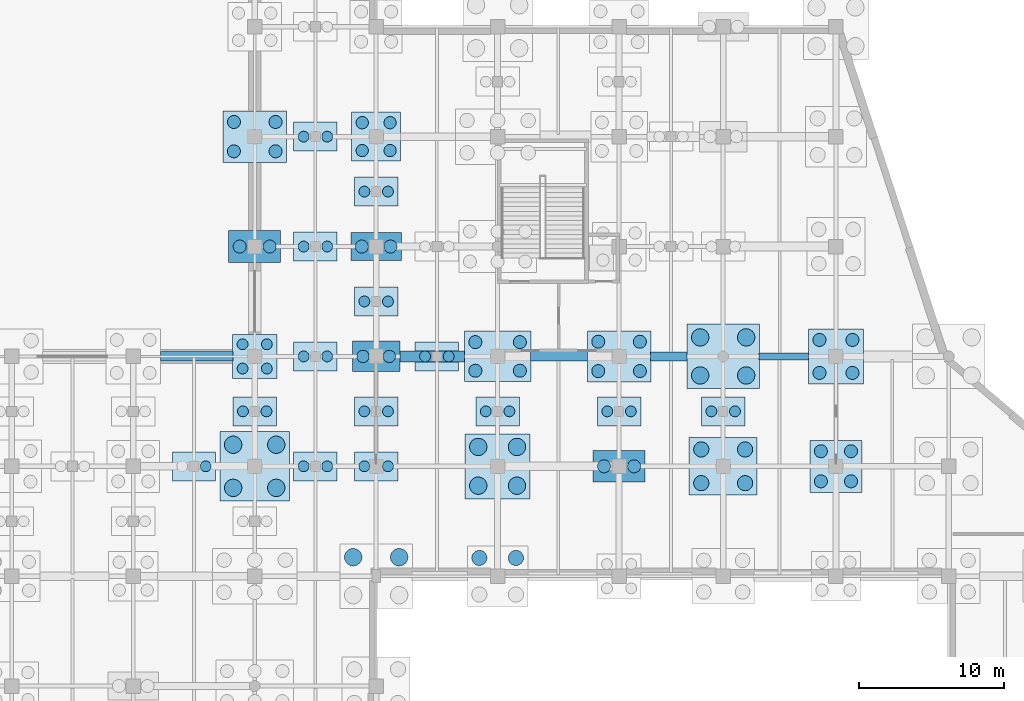
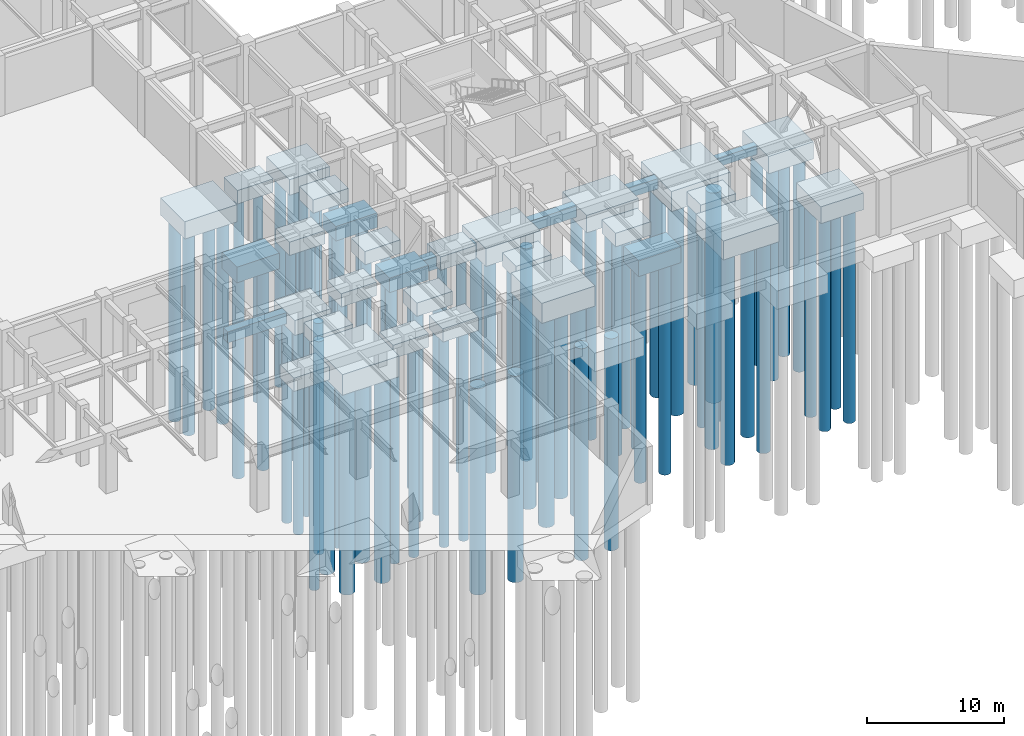
# One storey, part 6 of 52: 83 piles, 34 footings.
"""IFC4 building model written with IfcOpenShell, lengths in metres."""

from ifc_helpers import new_model, si_unit, direction, frame, origin, origin_2d, place, context, subcontext, project, spatial, rectangle, circle, extrude, material, material_profile, profile_set, type_object, element, save


model = new_model("IFC4")

# Units and contexts
model_context = context("Model", 3, precision=1e-05, world=origin(), true_north=direction((0.0, 1.0)))
body_context = subcontext(model_context, "Body", "Model", "MODEL_VIEW")
ifc_project = project(units=[si_unit("LENGTHUNIT", "METRE"), si_unit("AREAUNIT", "SQUARE_METRE"), si_unit("VOLUMEUNIT", "CUBIC_METRE"), si_unit("PLANEANGLEUNIT", "RADIAN"), si_unit("MASSUNIT", "GRAM", prefix="KILO")], contexts=[model_context])

# Site, building, storey
site_placement = place(None, origin())
site = spatial("IfcSite", under=ifc_project, at=site_placement, CompositionType="ELEMENT")
building_placement = place(site_placement, origin())
building = spatial("IfcBuilding", under=site, at=building_placement, Name="Xicomal Pleat Aquarium", CompositionType="ELEMENT")
storey_placement = place(building_placement, frame((0.0, 0.0, -5.39990234375)))
storey = spatial("IfcBuildingStorey", under=building, at=storey_placement, Name="B1", CompositionType="ELEMENT", Elevation=-5.39990234375)

# Footings
ifc_material_1 = material(Name="Concrete C40/50", Category="concrete")
ifc_material_profile_1 = material_profile(ifc_material_1, rectangle(XDim=0.5, YDim=0.800048828125, at=origin_2d()), Name="FB-01 500x800")
ifc_profile_set_1 = profile_set([ifc_material_profile_1], Name="Concrete C40/50")
footing_type_1 = type_object("IfcFootingType", Name="FTG-FB-500x800", PredefinedType="FOOTING_BEAM", material=ifc_profile_set_1)
footing_1_placement = place(storey_placement, frame((120.68994140625, 45.60009765625, -1.0), z_axis=(1.0, 0.0, 0.0), x_axis=(0.0, 1.0, 0.0)))
element("IfcFooting", 1, at=footing_1_placement, inside=storey, type_object=footing_type_1, Name="Foundation tie beam 15-16/G", PredefinedType="FOOTING_BEAM", context=body_context, shape_type="SweptSolid", body=[
    extrude(rectangle(XDim=0.5, YDim=0.800048828125, at=origin_2d()), origin(), (0.0, 0.0, 1.0), 3.420166015625),
])
ifc_material_2 = material(Name="Concrete C40/50", Category="concrete")
ifc_material_profile_2 = material_profile(ifc_material_2, rectangle(XDim=0.60009765625, YDim=0.89990234375, at=origin_2d()), Name="FB-02 600x900")
ifc_profile_set_2 = profile_set([ifc_material_profile_2], Name="Concrete C40/50")
footing_type_2 = type_object("IfcFootingType", Name="FTG-FB-600x900", PredefinedType="FOOTING_BEAM", material=ifc_profile_set_2)
footing_2_placement = place(storey_placement, frame((113.18994140625, 45.60009765625, -1.050048828125), z_axis=(1.0, 0.0, 0.0), x_axis=(0.0, 1.0, 0.0)))
element("IfcFooting", 2, at=footing_2_placement, inside=storey, type_object=footing_type_2, Name="Foundation tie beam 14-15/G", PredefinedType="FOOTING_BEAM", context=body_context, shape_type="SweptSolid", body=[
    extrude(rectangle(XDim=0.60009765625, YDim=0.89990234375, at=origin_2d()), origin(), (0.0, 0.0, 1.0), 2.52001953125),
])
ifc_material_3 = material(Name="Concrete C40/50", Category="concrete")
ifc_material_profile_3 = material_profile(ifc_material_3, rectangle(XDim=0.64990234375, YDim=1.0, at=origin_2d()), Name="FB-03 650x1000")
ifc_profile_set_3 = profile_set([ifc_material_profile_3], Name="Concrete C40/50")
footing_type_3 = type_object("IfcFootingType", Name="FTG-FB-650x1000", PredefinedType="FOOTING_BEAM", material=ifc_profile_set_3)
footing_3_placement = place(storey_placement, frame((79.2900390625, 45.60009765625, -2.050048828125), z_axis=(1.0, 0.0, 0.0), x_axis=(0.0, 1.0, 0.0)))
element("IfcFooting", 3, at=footing_3_placement, inside=storey, type_object=footing_type_3, Name="Foundation tie beam 10-11/G", PredefinedType="FOOTING_BEAM", context=body_context, shape_type="SweptSolid", body=[
    extrude(rectangle(XDim=0.64990234375, YDim=1.0, at=origin_2d()), origin(), (0.0, 0.0, 1.0), 4.994873046875),
])
footing_4_placement = place(storey_placement, frame((104.889892578125, 45.60009765625, -1.10009765625), z_axis=(1.0, 0.0, 0.0), x_axis=(0.0, 1.0, 0.0)))
element("IfcFooting", 4, at=footing_4_placement, inside=storey, type_object=footing_type_3, Name="Foundation tie beam 13-14/G", PredefinedType="FOOTING_BEAM", context=body_context, shape_type="SweptSolid", body=[
    extrude(rectangle(XDim=0.64990234375, YDim=1.0, at=origin_2d()), origin(), (0.0, 0.0, 1.0), 3.920166015625),
])
ifc_material_4 = material(Name="Concrete C40/50", Category="concrete")
ifc_material_profile_4 = material_profile(ifc_material_4, rectangle(XDim=0.75, YDim=1.10009765625, at=origin_2d()), Name="FB-04 750x1100")
ifc_profile_set_4 = profile_set([ifc_material_profile_4], Name="Concrete C40/50")
footing_type_4 = type_object("IfcFootingType", Name="FTG-FB-750x1100", PredefinedType="FOOTING_BEAM", material=ifc_profile_set_4)
footing_5_placement = place(storey_placement, frame((95.840087890625, 45.60009765625, -1.5), z_axis=(1.0, 0.0, 0.0), x_axis=(0.0, 1.0, 0.0)))
element("IfcFooting", 5, at=footing_5_placement, inside=storey, type_object=footing_type_4, Name="Foundation tie beam 12-13/G", PredefinedType="FOOTING_BEAM", context=body_context, shape_type="SweptSolid", body=[
    extrude(rectangle(XDim=0.75, YDim=1.10009765625, at=origin_2d()), origin(), (0.0, 0.0, 1.0), 4.469970703125),
])
ifc_material_5 = material(Name="Concrete C40/50", Category="concrete")
footing_type_5 = type_object("IfcFootingType", Name="FTG-PC-3000x2000x1200", PredefinedType="PILE_CAP", material=ifc_material_5)
for number, where, z_axis, x_axis, name in (
    (6, (94.199951171875, 38.0, -2.14990234375), (0.0, 0.0, 1.0), (1.0, 0.0, 0.0), "Pile cap 12-F"),
    (7, (81.60009765625, 38.0, -2.14990234375), (0.0, 0.0, 1.0), (1.0, 0.0, 0.0), "Pile cap SUB-13"),
    (8, (90.0, 38.0, -2.14990234375), (0.0, 0.0, 1.0), (1.0, 0.0, 0.0), "Pile cap SUB-14"),
    (9, (90.0, 45.60009765625, -2.14990234375), (0.0, 0.0, 1.0), (1.0, 0.0, 0.0), "Pile cap SUB-15"),
    (10, (90.0, 53.199951171875, -2.14990234375), (0.0, 0.0, 1.0), (1.0, 0.0, 0.0), "Pile cap SUB-16"),
    (11, (90.0, 60.800048828125, -2.14990234375), (0.0, 0.0, 1.0), (1.0, 0.0, 0.0), "Pile cap SUB-17"),
    (12, (98.39990234375, 45.60009765625, -1.80029296875), (0.0, 0.0, 1.0), (1.0, 0.0, 0.0), "Pile cap SUB-20"),
    (13, (85.800048828125, 41.800048828125, -2.14990234375), (0.0, 0.0, 1.0), (1.0, 0.0, 0.0), "Pile cap SUB-51"),
    (14, (94.199951171875, 41.800048828125, -2.14990234375), (0.0, 0.0, 1.0), (1.0, 0.0, 0.0), "Pile cap SUB-53"),
    (15, (94.199951171875, 49.39990234375, -2.14990234375), (0.0, 0.0, 1.0), (1.0, 0.0, 0.0), "Pile cap SUB-54"),
    (16, (94.199951171875, 57.0, -2.14990234375), (0.0, 0.0, 1.0), (1.0, 0.0, 0.0), "Pile cap SUB-55"),
    (17, (102.60009765625, 41.800048828125, -1.80029296875), (0.0, 0.0, 1.0), (1.0, 0.0, 0.0), "Pile cap SUB-56"),
    (18, (111.0, 41.800048828125, -1.80029296875), (0.0, 0.0, 1.0), (1.0, 0.0, 0.0), "Pile cap SUB-58"),
    (19, (118.199951171875, 41.800048828125, -1.80029296875), (0.0, 0.0, 1.0), (1.0, 0.0, 0.0), "Pile cap SUB-60"),
):
    element("IfcFooting", number, at=place(storey_placement, frame(where, z_axis=z_axis, x_axis=x_axis)), inside=storey, type_object=footing_type_5, Name=name, PredefinedType="PILE_CAP", context=body_context, shape_type="SweptSolid", body=[
        extrude(rectangle(XDim=3.0, YDim=2.0, at=origin_2d()), origin(), (0.0, 0.0, 1.0), 1.199951171875),
    ])
ifc_material_6 = material(Name="Concrete C40/50", Category="concrete")
footing_type_6 = type_object("IfcFootingType", Name="FTG-PC-3050x3050x1350", PredefinedType="PILE_CAP", material=ifc_material_6)
footing_6_placement = place(storey_placement, frame((85.800048828125, 45.60009765625, -2.900146484375), z_axis=(0.0, 0.0, 1.0), x_axis=(1.0, 0.0, 0.0)))
element("IfcFooting", 20, at=footing_6_placement, inside=storey, type_object=footing_type_6, Name="Pile cap 11-G", PredefinedType="PILE_CAP", context=body_context, shape_type="SweptSolid", body=[
    extrude(rectangle(XDim=3.050048828125, YDim=3.050048828125, at=origin_2d()), origin(), (0.0, 0.0, 1.0), 1.35009765625),
])
ifc_material_7 = material(Name="Concrete C40/50", Category="concrete")
footing_type_7 = type_object("IfcFootingType", Name="FTG-PC-3300x2100x1300", PredefinedType="PILE_CAP", material=ifc_material_7)
footing_7_placement = place(storey_placement, frame((94.199951171875, 45.60009765625, -2.25), z_axis=(0.0, 0.0, 1.0), x_axis=(1.0, 0.0, 0.0)))
element("IfcFooting", 21, at=footing_7_placement, inside=storey, type_object=footing_type_7, Name="Pile cap 12-G", PredefinedType="PILE_CAP", context=body_context, shape_type="SweptSolid", body=[
    extrude(rectangle(XDim=3.300048828125, YDim=2.10009765625, at=origin_2d()), origin(), (0.0, 0.0, 1.0), 1.300048828125),
])
ifc_material_8 = material(Name="Concrete C40/50", Category="concrete")
footing_type_8 = type_object("IfcFootingType", Name="FTG-PC-3400x3400x1400", PredefinedType="PILE_CAP", material=ifc_material_8)
footing_8_placement = place(storey_placement, frame((94.199951171875, 60.800048828125, -2.35009765625), z_axis=(0.0, 0.0, 1.0), x_axis=(1.0, 0.0, 0.0)))
element("IfcFooting", 22, at=footing_8_placement, inside=storey, type_object=footing_type_8, Name="Pile cap 12-J", PredefinedType="PILE_CAP", context=body_context, shape_type="SweptSolid", body=[
    extrude(rectangle(XDim=3.39990234375, YDim=3.39990234375, at=origin_2d()), origin(), (0.0, 0.0, 1.0), 1.39990234375),
])
ifc_material_9 = material(Name="Concrete C40/50", Category="concrete")
footing_type_9 = type_object("IfcFootingType", Name="FTG-PC-3500x1950x1300", PredefinedType="PILE_CAP", material=ifc_material_9)
footing_9_placement = place(storey_placement, frame((94.199951171875, 53.199951171875, -2.25), z_axis=(0.0, 0.0, 1.0), x_axis=(1.0, 0.0, 0.0)))
element("IfcFooting", 23, at=footing_9_placement, inside=storey, type_object=footing_type_9, Name="Pile cap 12-H", PredefinedType="PILE_CAP", context=body_context, shape_type="SweptSolid", body=[
    extrude(rectangle(XDim=3.5, YDim=1.949951171875, at=origin_2d()), origin(), (0.0, 0.0, 1.0), 1.300048828125),
])
ifc_material_10 = material(Name="Concrete C40/50", Category="concrete")
footing_type_10 = type_object("IfcFootingType", Name="FTG-PC-3600x2200x1400", PredefinedType="PILE_CAP", material=ifc_material_10)
for number, where, z_axis, x_axis, name in (
    (24, (85.800048828125, 53.199951171875, -2.949951171875), (0.0, 0.0, 1.0), (1.0, 0.0, 0.0), "Pile cap 11-H"),
    (25, (111.0, 38.0, -2.0), (0.0, 0.0, 1.0), (1.0, 0.0, 0.0), "Pile cap 14-F"),
):
    element("IfcFooting", number, at=place(storey_placement, frame(where, z_axis=z_axis, x_axis=x_axis)), inside=storey, type_object=footing_type_10, Name=name, PredefinedType="PILE_CAP", context=body_context, shape_type="SweptSolid", body=[
        extrude(rectangle(XDim=3.60009765625, YDim=2.199951171875, at=origin_2d()), origin(), (0.0, 0.0, 1.0), 1.39990234375),
    ])
ifc_material_11 = material(Name="Concrete C40/50", Category="concrete")
footing_type_11 = type_object("IfcFootingType", Name="FTG-PC-3600x3600x1500", PredefinedType="PILE_CAP", material=ifc_material_11)
footing_10_placement = place(storey_placement, frame((126.0, 38.0, -2.10009765625), z_axis=(0.0, 0.0, 1.0), x_axis=(1.0, 0.0, 0.0)))
element("IfcFooting", 26, at=footing_10_placement, inside=storey, type_object=footing_type_11, Name="Pile cap 16-F", PredefinedType="PILE_CAP", context=body_context, shape_type="SweptSolid", body=[
    extrude(rectangle(XDim=3.60009765625, YDim=3.60009765625, at=origin_2d()), origin(), (0.0, 0.0, 1.0), 1.5),
])
ifc_material_12 = material(Name="Concrete C40/50", Category="concrete")
footing_type_12 = type_object("IfcFootingType", Name="FTG-PC-3800x3800x1550", PredefinedType="PILE_CAP", material=ifc_material_12)
footing_11_placement = place(storey_placement, frame((126.0, 45.60009765625, -2.14990234375), z_axis=(0.0, 0.0, 1.0), x_axis=(1.0, 0.0, 0.0)))
element("IfcFooting", 27, at=footing_11_placement, inside=storey, type_object=footing_type_12, Name="Pile cap 16-G", PredefinedType="PILE_CAP", context=body_context, shape_type="SweptSolid", body=[
    extrude(rectangle(XDim=3.800048828125, YDim=3.800048828125, at=origin_2d()), origin(), (0.0, 0.0, 1.0), 1.550048828125),
])
ifc_material_13 = material(Name="Concrete C40/50", Category="concrete")
footing_type_13 = type_object("IfcFootingType", Name="FTG-PC-4400x3550x1550", PredefinedType="PILE_CAP", material=ifc_material_13)
for number, where, z_axis, x_axis, name in (
    (28, (85.800048828125, 60.800048828125, -3.10009765625), (0.0, 0.0, 1.0), (1.0, 0.0, 0.0), "Pile cap 11-J"),
    (29, (111.0, 45.60009765625, -2.14990234375), (0.0, 0.0, 1.0), (1.0, 0.0, 0.0), "Pile cap 14-G"),
):
    element("IfcFooting", number, at=place(storey_placement, frame(where, z_axis=z_axis, x_axis=x_axis)), inside=storey, type_object=footing_type_13, Name=name, PredefinedType="PILE_CAP", context=body_context, shape_type="SweptSolid", body=[
        extrude(rectangle(XDim=4.39990234375, YDim=3.550048828125, at=origin_2d()), origin(), (0.0, 0.0, 1.0), 1.550048828125),
    ])
ifc_material_14 = material(Name="Concrete C40/50", Category="concrete")
footing_type_14 = type_object("IfcFootingType", Name="FTG-PC-4500x4500x1800", PredefinedType="PILE_CAP", material=ifc_material_14)
footing_12_placement = place(storey_placement, frame((102.60009765625, 38.0, -2.39990234375), z_axis=(0.0, 0.0, 1.0), x_axis=(1.0, 0.0, 0.0)))
element("IfcFooting", 30, at=footing_12_placement, inside=storey, type_object=footing_type_14, Name="Pile cap 13-F", PredefinedType="PILE_CAP", context=body_context, shape_type="SweptSolid", body=[
    extrude(rectangle(XDim=4.5, YDim=4.5, at=origin_2d()), origin(), (0.0, 0.0, 1.0), 1.800048828125),
])
ifc_material_15 = material(Name="Concrete C40/50", Category="concrete")
footing_type_15 = type_object("IfcFootingType", Name="FTG-PC-4600x3500x1600", PredefinedType="PILE_CAP", material=ifc_material_15)
footing_13_placement = place(storey_placement, frame((102.60009765625, 45.60009765625, -2.2001953125), z_axis=(0.0, 0.0, 1.0), x_axis=(1.0, 0.0, 0.0)))
element("IfcFooting", 31, at=footing_13_placement, inside=storey, type_object=footing_type_15, Name="Pile cap 13-G", PredefinedType="PILE_CAP", context=body_context, shape_type="SweptSolid", body=[
    extrude(rectangle(XDim=4.60009765625, YDim=3.5, at=origin_2d()), origin(), (0.0, 0.0, 1.0), 1.60009765625),
])
ifc_material_16 = material(Name="Concrete C40/50", Category="concrete")
footing_type_16 = type_object("IfcFootingType", Name="FTG-PC-4700x4000x1700", PredefinedType="PILE_CAP", material=ifc_material_16)
footing_14_placement = place(storey_placement, frame((118.199951171875, 38.0, -2.30029296875), z_axis=(0.0, 0.0, 1.0), x_axis=(1.0, 0.0, 0.0)))
element("IfcFooting", 32, at=footing_14_placement, inside=storey, type_object=footing_type_16, Name="Pile cap 15-F", PredefinedType="PILE_CAP", context=body_context, shape_type="SweptSolid", body=[
    extrude(rectangle(XDim=4.699951171875, YDim=4.0, at=origin_2d()), origin(), (0.0, 0.0, 1.0), 1.699951171875),
])
ifc_material_17 = material(Name="Concrete C40/50", Category="concrete")
footing_type_17 = type_object("IfcFootingType", Name="FTG-PC-4800x4800x1850", PredefinedType="PILE_CAP", material=ifc_material_17)
footing_15_placement = place(storey_placement, frame((85.800048828125, 38.0, -2.800048828125), z_axis=(0.0, 0.0, 1.0), x_axis=(1.0, 0.0, 0.0)))
element("IfcFooting", 33, at=footing_15_placement, inside=storey, type_object=footing_type_17, Name="Pile cap 11-F", PredefinedType="PILE_CAP", context=body_context, shape_type="SweptSolid", body=[
    extrude(rectangle(XDim=4.800048828125, YDim=4.800048828125, at=origin_2d()), origin(), (0.0, 0.0, 1.0), 1.85009765625),
])
ifc_material_18 = material(Name="Concrete C40/50", Category="concrete")
footing_type_18 = type_object("IfcFootingType", Name="FTG-PC-5000x4450x1800", PredefinedType="PILE_CAP", material=ifc_material_18)
footing_16_placement = place(storey_placement, frame((118.199951171875, 45.60009765625, -2.39990234375), z_axis=(0.0, 0.0, 1.0), x_axis=(1.0, 0.0, 0.0)))
element("IfcFooting", 34, at=footing_16_placement, inside=storey, type_object=footing_type_18, Name="Pile cap 15-G", PredefinedType="PILE_CAP", context=body_context, shape_type="SweptSolid", body=[
    extrude(rectangle(XDim=5.0, YDim=4.449951171875, at=origin_2d()), origin(), (0.0, 0.0, 1.0), 1.800048828125),
])

# Piles
ifc_material_19 = material(Name="Concrete C40/50", Category="concrete")
ifc_material_profile_5 = material_profile(ifc_material_19, circle(Radius=0.52490234375, at=origin_2d()), Name="BORED PILE D1050")
ifc_profile_set_5 = profile_set([ifc_material_profile_5], Name="Concrete C40/50")
pile_type_1 = type_object("IfcPileType", Name="PIL-B-1050", PredefinedType="BORED", material=ifc_profile_set_5)
for number, where, z_axis, x_axis, name in (
    (35, (101.3349609375, 31.6650390625, -2.150146484375), (0.0, 0.0, -1.0), (1.0, 0.0, 0.0), "Bored pile 13-E-3"),
    (36, (103.864990234375, 31.6650390625, -2.150146484375), (0.0, 0.0, -1.0), (1.0, 0.0, 0.0), "Bored pile 13-E-4"),
):
    element("IfcPile", number, at=place(storey_placement, frame(where, z_axis=z_axis, x_axis=x_axis)), inside=storey, type_object=pile_type_1, Name=name, PredefinedType="BORED", context=body_context, shape_type="SweptSolid", body=[
        extrude(circle(Radius=0.52490234375, at=origin_2d()), origin(), (0.0, 0.0, 1.0), 18.949951171875),
    ])
for number, where, z_axis, x_axis, name in (
    (37, (116.68505859375, 36.8349609375, -2.2001953125), (0.0, 0.0, -1.0), (1.0, 0.0, 0.0), "Bored pile 15-F-1"),
    (38, (119.715087890625, 36.8349609375, -2.2001953125), (0.0, 0.0, -1.0), (1.0, 0.0, 0.0), "Bored pile 15-F-2"),
    (39, (116.68505859375, 39.1650390625, -2.2001953125), (0.0, 0.0, -1.0), (1.0, 0.0, 0.0), "Bored pile 15-F-3"),
    (40, (119.715087890625, 39.1650390625, -2.2001953125), (0.0, 0.0, -1.0), (1.0, 0.0, 0.0), "Bored pile 15-F-4"),
):
    element("IfcPile", number, at=place(storey_placement, frame(where, z_axis=z_axis, x_axis=x_axis)), inside=storey, type_object=pile_type_1, Name=name, PredefinedType="BORED", context=body_context, shape_type="SweptSolid", body=[
        extrude(circle(Radius=0.52490234375, at=origin_2d()), origin(), (0.0, 0.0, 1.0), 18.89990234375),
    ])
ifc_material_20 = material(Name="Concrete C40/50", Category="concrete")
ifc_material_profile_6 = material_profile(ifc_material_20, circle(Radius=0.60009765625, at=origin_2d()), Name="BORED PILE D1200")
ifc_profile_set_6 = profile_set([ifc_material_profile_6], Name="Concrete C40/50")
pile_type_2 = type_object("IfcPileType", Name="PIL-B-1200", PredefinedType="BORED", material=ifc_profile_set_6)
for number, where, z_axis, x_axis, name in (
    (41, (84.31005859375, 36.510009765625, -2.7001953125), (0.0, 0.0, -1.0), (1.0, 0.0, 0.0), "Bored pile 11-F-1"),
    (42, (87.2900390625, 36.510009765625, -2.7001953125), (0.0, 0.0, -1.0), (1.0, 0.0, 0.0), "Bored pile 11-F-2"),
    (43, (84.31005859375, 39.489990234375, -2.7001953125), (0.0, 0.0, -1.0), (1.0, 0.0, 0.0), "Bored pile 11-F-3"),
    (44, (87.2900390625, 39.489990234375, -2.7001953125), (0.0, 0.0, -1.0), (1.0, 0.0, 0.0), "Bored pile 11-F-4"),
):
    element("IfcPile", number, at=place(storey_placement, frame(where, z_axis=z_axis, x_axis=x_axis)), inside=storey, type_object=pile_type_2, Name=name, PredefinedType="BORED", context=body_context, shape_type="SweptSolid", body=[
        extrude(circle(Radius=0.60009765625, at=origin_2d()), origin(), (0.0, 0.0, 1.0), 18.39990234375),
    ])
for number, where, z_axis, x_axis, name in (
    (45, (92.610107421875, 31.715087890625, -2.650146484375), (0.0, 0.0, -1.0), (1.0, 0.0, 0.0), "Bored pile 12-E-3"),
    (46, (95.7900390625, 31.715087890625, -2.650146484375), (0.0, 0.0, -1.0), (1.0, 0.0, 0.0), "Bored pile 12-E-4"),
):
    element("IfcPile", number, at=place(storey_placement, frame(where, z_axis=z_axis, x_axis=x_axis)), inside=storey, type_object=pile_type_2, Name=name, PredefinedType="BORED", context=body_context, shape_type="SweptSolid", body=[
        extrude(circle(Radius=0.60009765625, at=origin_2d()), origin(), (0.0, 0.0, 1.0), 18.449951171875),
    ])
for number, where, z_axis, x_axis, name in (
    (47, (101.260009765625, 36.659912109375, -2.300048828125), (0.0, 0.0, -1.0), (1.0, 0.0, 0.0), "Bored pile 13-F-1"),
    (48, (103.93994140625, 36.659912109375, -2.300048828125), (0.0, 0.0, -1.0), (1.0, 0.0, 0.0), "Bored pile 13-F-2"),
    (49, (101.260009765625, 39.340087890625, -2.300048828125), (0.0, 0.0, -1.0), (1.0, 0.0, 0.0), "Bored pile 13-F-3"),
    (50, (103.93994140625, 39.340087890625, -2.300048828125), (0.0, 0.0, -1.0), (1.0, 0.0, 0.0), "Bored pile 13-F-4"),
    (51, (116.610107421875, 44.284912109375, -2.300048828125), (0.0, 0.0, -1.0), (1.0, 0.0, 0.0), "Bored pile 15-G-1"),
    (52, (119.7900390625, 44.284912109375, -2.300048828125), (0.0, 0.0, -1.0), (1.0, 0.0, 0.0), "Bored pile 15-G-2"),
    (53, (116.610107421875, 46.9150390625, -2.300048828125), (0.0, 0.0, -1.0), (1.0, 0.0, 0.0), "Bored pile 15-G-3"),
    (54, (119.7900390625, 46.9150390625, -2.300048828125), (0.0, 0.0, -1.0), (1.0, 0.0, 0.0), "Bored pile 15-G-4"),
):
    element("IfcPile", number, at=place(storey_placement, frame(where, z_axis=z_axis, x_axis=x_axis)), inside=storey, type_object=pile_type_2, Name=name, PredefinedType="BORED", context=body_context, shape_type="SweptSolid", body=[
        extrude(circle(Radius=0.60009765625, at=origin_2d()), origin(), (0.0, 0.0, 1.0), 18.800048828125),
    ])
ifc_material_21 = material(Name="Concrete C40/50", Category="concrete")
ifc_material_profile_7 = material_profile(ifc_material_21, circle(Radius=0.375, at=origin_2d()), Name="BORED PILE D750")
ifc_profile_set_7 = profile_set([ifc_material_profile_7], Name="Concrete C40/50")
pile_type_3 = type_object("IfcPileType", Name="PIL-B-750", PredefinedType="BORED", material=ifc_profile_set_7)
for number, where, z_axis, x_axis, name in (
    (55, (84.9599609375, 44.760009765625, -2.800048828125), (0.0, 0.0, -1.0), (1.0, 0.0, 0.0), "Bored pile 11-G-1"),
    (56, (86.639892578125, 44.760009765625, -2.800048828125), (0.0, 0.0, -1.0), (1.0, 0.0, 0.0), "Bored pile 11-G-2"),
    (57, (84.9599609375, 46.43994140625, -2.800048828125), (0.0, 0.0, -1.0), (1.0, 0.0, 0.0), "Bored pile 11-G-3"),
    (58, (86.639892578125, 46.43994140625, -2.800048828125), (0.0, 0.0, -1.0), (1.0, 0.0, 0.0), "Bored pile 11-G-4"),
):
    element("IfcPile", number, at=place(storey_placement, frame(where, z_axis=z_axis, x_axis=x_axis)), inside=storey, type_object=pile_type_3, Name=name, PredefinedType="BORED", context=body_context, shape_type="SweptSolid", body=[
        extrude(circle(Radius=0.375, at=origin_2d()), origin(), (0.0, 0.0, 1.0), 18.300048828125),
    ])
for number, where, z_axis, x_axis, name in (
    (59, (93.385009765625, 38.0, -2.050048828125), (0.0, 0.0, -1.0), (1.0, 0.0, 0.0), "Bored pile 12-F-1"),
    (60, (95.014892578125, 38.0, -2.050048828125), (0.0, 0.0, -1.0), (1.0, 0.0, 0.0), "Bored pile 12-F-2"),
    (61, (82.4150390625, 38.0, -2.050048828125), (0.0, 0.0, -1.0), (1.0, 0.0, 0.0), "Bored pile SUB-13-2"),
    (62, (89.18505859375, 38.0, -2.050048828125), (0.0, 0.0, -1.0), (1.0, 0.0, 0.0), "Bored pile SUB-14-1"),
    (63, (90.81494140625, 38.0, -2.050048828125), (0.0, 0.0, -1.0), (1.0, 0.0, 0.0), "Bored pile SUB-14-2"),
    (64, (89.18505859375, 45.60009765625, -2.050048828125), (0.0, 0.0, -1.0), (1.0, 0.0, 0.0), "Bored pile SUB-15-1"),
    (65, (90.81494140625, 45.60009765625, -2.050048828125), (0.0, 0.0, -1.0), (1.0, 0.0, 0.0), "Bored pile SUB-15-2"),
    (66, (89.18505859375, 53.199951171875, -2.050048828125), (0.0, 0.0, -1.0), (1.0, 0.0, 0.0), "Bored pile SUB-16-1"),
    (67, (90.81494140625, 53.199951171875, -2.050048828125), (0.0, 0.0, -1.0), (1.0, 0.0, 0.0), "Bored pile SUB-16-2"),
    (68, (89.18505859375, 60.800048828125, -2.050048828125), (0.0, 0.0, -1.0), (1.0, 0.0, 0.0), "Bored pile SUB-17-1"),
    (69, (90.81494140625, 60.800048828125, -2.050048828125), (0.0, 0.0, -1.0), (1.0, 0.0, 0.0), "Bored pile SUB-17-2"),
):
    element("IfcPile", number, at=place(storey_placement, frame(where, z_axis=z_axis, x_axis=x_axis)), inside=storey, type_object=pile_type_3, Name=name, PredefinedType="BORED", context=body_context, shape_type="SweptSolid", body=[
        extrude(circle(Radius=0.375, at=origin_2d()), origin(), (0.0, 0.0, 1.0), 19.050048828125),
    ])
for number, where, z_axis, x_axis, name in (
    (70, (97.5849609375, 45.60009765625, -1.7001953125), (0.0, 0.0, -1.0), (1.0, 0.0, 0.0), "Bored pile SUB-20-1"),
    (71, (99.215087890625, 45.60009765625, -1.7001953125), (0.0, 0.0, -1.0), (1.0, 0.0, 0.0), "Bored pile SUB-20-2"),
):
    element("IfcPile", number, at=place(storey_placement, frame(where, z_axis=z_axis, x_axis=x_axis)), inside=storey, type_object=pile_type_3, Name=name, PredefinedType="BORED", context=body_context, shape_type="SweptSolid", body=[
        extrude(circle(Radius=0.375, at=origin_2d()), origin(), (0.0, 0.0, 1.0), 19.39990234375),
    ])
for number, where, z_axis, x_axis, name in (
    (72, (84.985107421875, 41.800048828125, -2.050048828125), (0.0, 0.0, -1.0), (1.0, 0.0, 0.0), "Bored pile SUB-51-1"),
    (73, (86.614990234375, 41.800048828125, -2.050048828125), (0.0, 0.0, -1.0), (1.0, 0.0, 0.0), "Bored pile SUB-51-2"),
    (74, (93.385009765625, 41.800048828125, -2.050048828125), (0.0, 0.0, -1.0), (1.0, 0.0, 0.0), "Bored pile SUB-53-1"),
    (75, (95.014892578125, 41.800048828125, -2.050048828125), (0.0, 0.0, -1.0), (1.0, 0.0, 0.0), "Bored pile SUB-53-2"),
    (76, (93.385009765625, 49.39990234375, -2.050048828125), (0.0, 0.0, -1.0), (1.0, 0.0, 0.0), "Bored pile SUB-54-1"),
    (77, (95.014892578125, 49.39990234375, -2.050048828125), (0.0, 0.0, -1.0), (1.0, 0.0, 0.0), "Bored pile SUB-54-2"),
    (78, (93.385009765625, 57.0, -2.050048828125), (0.0, 0.0, -1.0), (1.0, 0.0, 0.0), "Bored pile SUB-55-1"),
    (79, (95.014892578125, 57.0, -2.050048828125), (0.0, 0.0, -1.0), (1.0, 0.0, 0.0), "Bored pile SUB-55-2"),
):
    element("IfcPile", number, at=place(storey_placement, frame(where, z_axis=z_axis, x_axis=x_axis)), inside=storey, type_object=pile_type_3, Name=name, PredefinedType="BORED", context=body_context, shape_type="SweptSolid", body=[
        extrude(circle(Radius=0.375, at=origin_2d()), origin(), (0.0, 0.0, 1.0), 19.050048828125),
    ])
for number, where, z_axis, x_axis, name in (
    (80, (101.784912109375, 41.800048828125, -1.7001953125), (0.0, 0.0, -1.0), (1.0, 0.0, 0.0), "Bored pile SUB-56-1"),
    (81, (103.4150390625, 41.800048828125, -1.7001953125), (0.0, 0.0, -1.0), (1.0, 0.0, 0.0), "Bored pile SUB-56-2"),
    (82, (110.18505859375, 41.800048828125, -1.7001953125), (0.0, 0.0, -1.0), (1.0, 0.0, 0.0), "Bored pile SUB-58-1"),
    (83, (111.81494140625, 41.800048828125, -1.7001953125), (0.0, 0.0, -1.0), (1.0, 0.0, 0.0), "Bored pile SUB-58-2"),
    (84, (117.385009765625, 41.800048828125, -1.7001953125), (0.0, 0.0, -1.0), (1.0, 0.0, 0.0), "Bored pile SUB-60-1"),
    (85, (119.014892578125, 41.800048828125, -1.7001953125), (0.0, 0.0, -1.0), (1.0, 0.0, 0.0), "Bored pile SUB-60-2"),
):
    element("IfcPile", number, at=place(storey_placement, frame(where, z_axis=z_axis, x_axis=x_axis)), inside=storey, type_object=pile_type_3, Name=name, PredefinedType="BORED", context=body_context, shape_type="SweptSolid", body=[
        extrude(circle(Radius=0.375, at=origin_2d()), origin(), (0.0, 0.0, 1.0), 19.39990234375),
    ])
ifc_material_22 = material(Name="Concrete C40/50", Category="concrete")
ifc_material_profile_8 = material_profile(ifc_material_22, circle(Radius=0.425048828125, at=origin_2d()), Name="BORED PILE D850")
ifc_profile_set_8 = profile_set([ifc_material_profile_8], Name="Concrete C40/50")
pile_type_4 = type_object("IfcPileType", Name="PIL-B-850", PredefinedType="BORED", material=ifc_profile_set_8)
for number, where, z_axis, x_axis, name in (
    (86, (93.284912109375, 45.60009765625, -2.150146484375), (0.0, 0.0, -1.0), (1.0, 0.0, 0.0), "Bored pile 12-G-1"),
    (87, (95.114990234375, 45.60009765625, -2.150146484375), (0.0, 0.0, -1.0), (1.0, 0.0, 0.0), "Bored pile 12-G-2"),
):
    element("IfcPile", number, at=place(storey_placement, frame(where, z_axis=z_axis, x_axis=x_axis)), inside=storey, type_object=pile_type_4, Name=name, PredefinedType="BORED", context=body_context, shape_type="SweptSolid", body=[
        extrude(circle(Radius=0.425048828125, at=origin_2d()), origin(), (0.0, 0.0, 1.0), 18.949951171875),
    ])
for number, where, z_axis, x_axis, name in (
    (88, (93.235107421875, 59.8349609375, -2.25), (0.0, 0.0, -1.0), (1.0, 0.0, 0.0), "Bored pile 12-J-1"),
    (89, (95.1650390625, 59.8349609375, -2.25), (0.0, 0.0, -1.0), (1.0, 0.0, 0.0), "Bored pile 12-J-2"),
    (90, (93.235107421875, 61.764892578125, -2.25), (0.0, 0.0, -1.0), (1.0, 0.0, 0.0), "Bored pile 12-J-3"),
    (91, (95.1650390625, 61.764892578125, -2.25), (0.0, 0.0, -1.0), (1.0, 0.0, 0.0), "Bored pile 12-J-4"),
):
    element("IfcPile", number, at=place(storey_placement, frame(where, z_axis=z_axis, x_axis=x_axis)), inside=storey, type_object=pile_type_4, Name=name, PredefinedType="BORED", context=body_context, shape_type="SweptSolid", body=[
        extrude(circle(Radius=0.425048828125, at=origin_2d()), origin(), (0.0, 0.0, 1.0), 18.85009765625),
    ])
ifc_material_23 = material(Name="Concrete C40/50", Category="concrete")
ifc_material_profile_9 = material_profile(ifc_material_23, circle(Radius=0.449951171875, at=origin_2d()), Name="BORED PILE D900")
ifc_profile_set_9 = profile_set([ifc_material_profile_9], Name="Concrete C40/50")
pile_type_5 = type_object("IfcPileType", Name="PIL-B-900", PredefinedType="BORED", material=ifc_profile_set_9)
for number, where, z_axis, x_axis, name in (
    (92, (84.760009765625, 53.199951171875, -2.85009765625), (0.0, 0.0, -1.0), (1.0, 0.0, 0.0), "Bored pile 11-H-1"),
    (93, (86.840087890625, 53.199951171875, -2.85009765625), (0.0, 0.0, -1.0), (1.0, 0.0, 0.0), "Bored pile 11-H-2"),
):
    element("IfcPile", number, at=place(storey_placement, frame(where, z_axis=z_axis, x_axis=x_axis)), inside=storey, type_object=pile_type_5, Name=name, PredefinedType="BORED", context=body_context, shape_type="SweptSolid", body=[
        extrude(circle(Radius=0.449951171875, at=origin_2d()), origin(), (0.0, 0.0, 1.0), 18.25),
    ])
for number, where, z_axis, x_axis, name in (
    (94, (84.360107421875, 59.784912109375, -3.0), (0.0, 0.0, -1.0), (1.0, 0.0, 0.0), "Bored pile 11-J-1"),
    (95, (87.239990234375, 59.784912109375, -3.0), (0.0, 0.0, -1.0), (1.0, 0.0, 0.0), "Bored pile 11-J-2"),
    (96, (84.360107421875, 61.81494140625, -3.0), (0.0, 0.0, -1.0), (1.0, 0.0, 0.0), "Bored pile 11-J-3"),
    (97, (87.239990234375, 61.81494140625, -3.0), (0.0, 0.0, -1.0), (1.0, 0.0, 0.0), "Bored pile 11-J-4"),
):
    element("IfcPile", number, at=place(storey_placement, frame(where, z_axis=z_axis, x_axis=x_axis)), inside=storey, type_object=pile_type_5, Name=name, PredefinedType="BORED", context=body_context, shape_type="SweptSolid", body=[
        extrude(circle(Radius=0.449951171875, at=origin_2d()), origin(), (0.0, 0.0, 1.0), 18.10009765625),
    ])
for number, where, z_axis, x_axis, name in (
    (98, (93.2099609375, 53.199951171875, -2.150146484375), (0.0, 0.0, -1.0), (1.0, 0.0, 0.0), "Bored pile 12-H-1"),
    (99, (95.18994140625, 53.199951171875, -2.150146484375), (0.0, 0.0, -1.0), (1.0, 0.0, 0.0), "Bored pile 12-H-2"),
):
    element("IfcPile", number, at=place(storey_placement, frame(where, z_axis=z_axis, x_axis=x_axis)), inside=storey, type_object=pile_type_5, Name=name, PredefinedType="BORED", context=body_context, shape_type="SweptSolid", body=[
        extrude(circle(Radius=0.449951171875, at=origin_2d()), origin(), (0.0, 0.0, 1.0), 18.949951171875),
    ])
for number, where, z_axis, x_axis, name in (
    (100, (101.06005859375, 44.610107421875, -2.10009765625), (0.0, 0.0, -1.0), (1.0, 0.0, 0.0), "Bored pile 13-G-1"),
    (101, (104.139892578125, 44.610107421875, -2.10009765625), (0.0, 0.0, -1.0), (1.0, 0.0, 0.0), "Bored pile 13-G-2"),
    (102, (101.06005859375, 46.590087890625, -2.10009765625), (0.0, 0.0, -1.0), (1.0, 0.0, 0.0), "Bored pile 13-G-3"),
    (103, (104.139892578125, 46.590087890625, -2.10009765625), (0.0, 0.0, -1.0), (1.0, 0.0, 0.0), "Bored pile 13-G-4"),
):
    element("IfcPile", number, at=place(storey_placement, frame(where, z_axis=z_axis, x_axis=x_axis)), inside=storey, type_object=pile_type_5, Name=name, PredefinedType="BORED", context=body_context, shape_type="SweptSolid", body=[
        extrude(circle(Radius=0.449951171875, at=origin_2d()), origin(), (0.0, 0.0, 1.0), 19.0),
    ])
for number, where, z_axis, x_axis, name in (
    (104, (109.9599609375, 38.0, -1.900146484375), (0.0, 0.0, -1.0), (1.0, 0.0, 0.0), "Bored pile 14-F-1"),
    (105, (112.0400390625, 38.0, -1.900146484375), (0.0, 0.0, -1.0), (1.0, 0.0, 0.0), "Bored pile 14-F-2"),
):
    element("IfcPile", number, at=place(storey_placement, frame(where, z_axis=z_axis, x_axis=x_axis)), inside=storey, type_object=pile_type_5, Name=name, PredefinedType="BORED", context=body_context, shape_type="SweptSolid", body=[
        extrude(circle(Radius=0.449951171875, at=origin_2d()), origin(), (0.0, 0.0, 1.0), 19.199951171875),
    ])
for number, where, z_axis, x_axis, name in (
    (106, (109.56005859375, 44.5849609375, -2.050048828125), (0.0, 0.0, -1.0), (1.0, 0.0, 0.0), "Bored pile 14-G-1"),
    (107, (112.43994140625, 44.5849609375, -2.050048828125), (0.0, 0.0, -1.0), (1.0, 0.0, 0.0), "Bored pile 14-G-2"),
    (108, (109.56005859375, 46.614990234375, -2.050048828125), (0.0, 0.0, -1.0), (1.0, 0.0, 0.0), "Bored pile 14-G-3"),
    (109, (112.43994140625, 46.614990234375, -2.050048828125), (0.0, 0.0, -1.0), (1.0, 0.0, 0.0), "Bored pile 14-G-4"),
):
    element("IfcPile", number, at=place(storey_placement, frame(where, z_axis=z_axis, x_axis=x_axis)), inside=storey, type_object=pile_type_5, Name=name, PredefinedType="BORED", context=body_context, shape_type="SweptSolid", body=[
        extrude(circle(Radius=0.449951171875, at=origin_2d()), origin(), (0.0, 0.0, 1.0), 19.050048828125),
    ])
for number, where, z_axis, x_axis, name in (
    (110, (124.9599609375, 36.9599609375, -2.0), (0.0, 0.0, -1.0), (1.0, 0.0, 0.0), "Bored pile 16-F-1"),
    (111, (127.0400390625, 36.9599609375, -2.0), (0.0, 0.0, -1.0), (1.0, 0.0, 0.0), "Bored pile 16-F-2"),
    (112, (124.9599609375, 39.0400390625, -2.0), (0.0, 0.0, -1.0), (1.0, 0.0, 0.0), "Bored pile 16-F-3"),
    (113, (127.0400390625, 39.0400390625, -2.0), (0.0, 0.0, -1.0), (1.0, 0.0, 0.0), "Bored pile 16-F-4"),
):
    element("IfcPile", number, at=place(storey_placement, frame(where, z_axis=z_axis, x_axis=x_axis)), inside=storey, type_object=pile_type_5, Name=name, PredefinedType="BORED", context=body_context, shape_type="SweptSolid", body=[
        extrude(circle(Radius=0.449951171875, at=origin_2d()), origin(), (0.0, 0.0, 1.0), 19.10009765625),
    ])
for number, where, z_axis, x_axis, name in (
    (114, (124.860107421875, 44.4599609375, -2.050048828125), (0.0, 0.0, -1.0), (1.0, 0.0, 0.0), "Bored pile 16-G-1"),
    (115, (127.139892578125, 44.4599609375, -2.050048828125), (0.0, 0.0, -1.0), (1.0, 0.0, 0.0), "Bored pile 16-G-2"),
    (116, (124.860107421875, 46.739990234375, -2.050048828125), (0.0, 0.0, -1.0), (1.0, 0.0, 0.0), "Bored pile 16-G-3"),
    (117, (127.139892578125, 46.739990234375, -2.050048828125), (0.0, 0.0, -1.0), (1.0, 0.0, 0.0), "Bored pile 16-G-4"),
):
    element("IfcPile", number, at=place(storey_placement, frame(where, z_axis=z_axis, x_axis=x_axis)), inside=storey, type_object=pile_type_5, Name=name, PredefinedType="BORED", context=body_context, shape_type="SweptSolid", body=[
        extrude(circle(Radius=0.449951171875, at=origin_2d()), origin(), (0.0, 0.0, 1.0), 19.050048828125),
    ])

save(model, "model.ifc")
